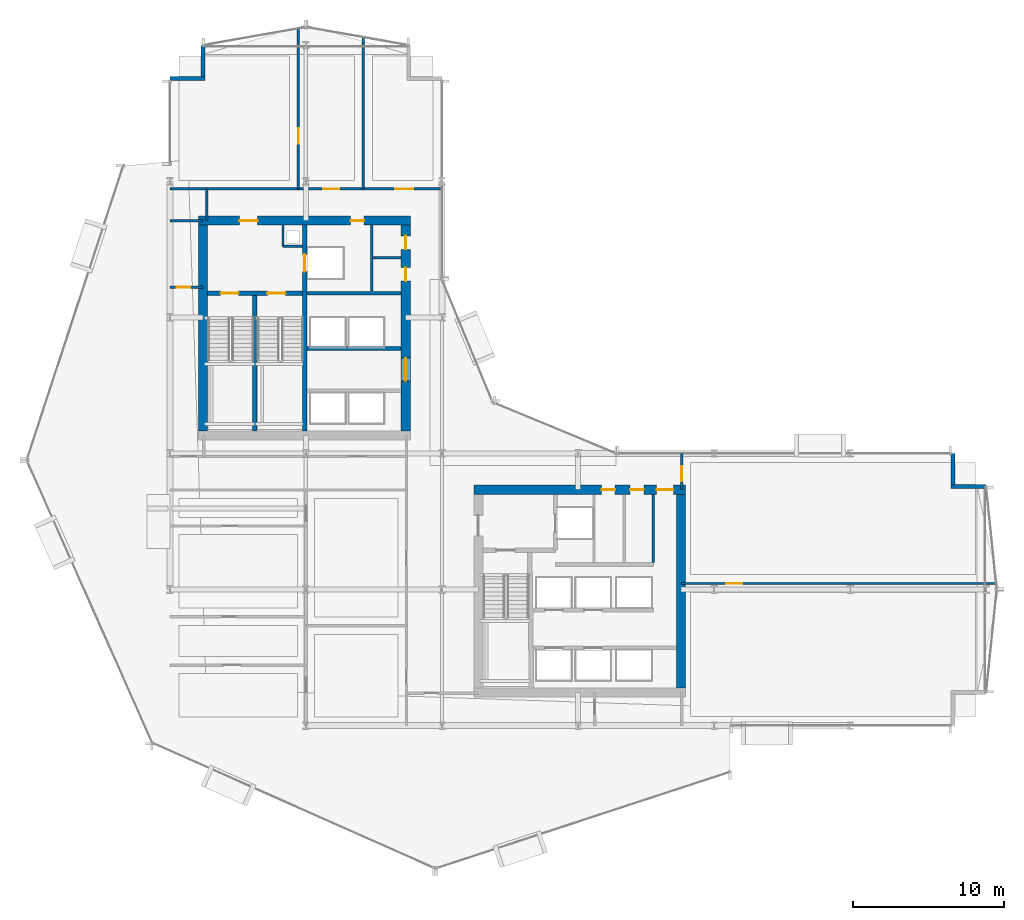
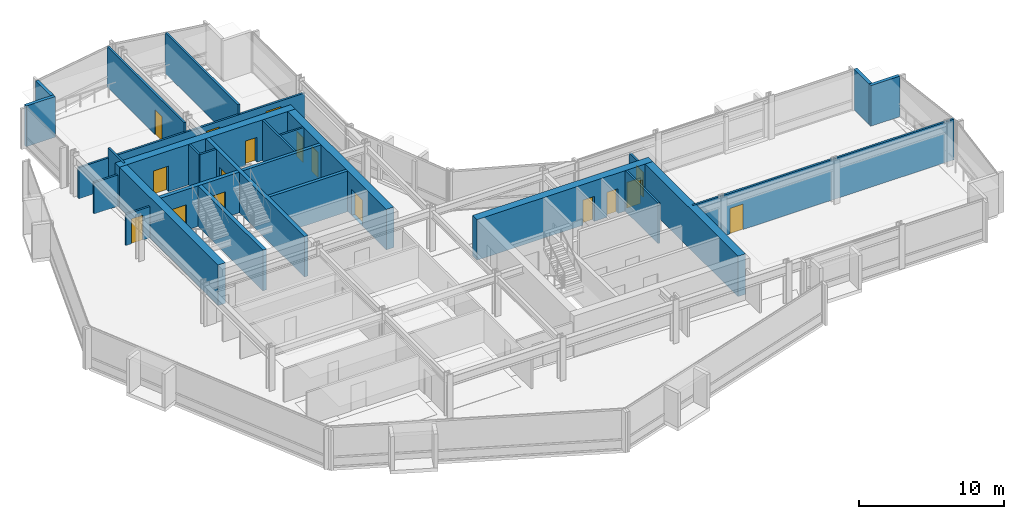
# One storey, part 28 of 34: 27 walls, 17 doors, 17 openings.
"""IFC4 building model written with IfcOpenShell, lengths in metres."""

from ifc_helpers import new_model, si_unit, direction, frame, frame_2d, origin, place, context, subcontext, project, spatial, rectangle, extrude, material, layer, layer_set, type_object, element, fill, save


model = new_model("IFC4")

# Units and contexts
model_context = context("Model", 3, precision=1e-05, world=origin(), true_north=direction((0.0, 1.0)))
body_context = subcontext(model_context, "Body", "Model", "MODEL_VIEW")
ifc_project = project(units=[si_unit("LENGTHUNIT", "METRE"), si_unit("AREAUNIT", "SQUARE_METRE"), si_unit("VOLUMEUNIT", "CUBIC_METRE"), si_unit("PLANEANGLEUNIT", "RADIAN"), si_unit("MASSUNIT", "GRAM", prefix="KILO")], contexts=[model_context])

# Site, building, storey
site_placement = place(None, origin())
site = spatial("IfcSite", under=ifc_project, at=site_placement, CompositionType="ELEMENT")
building_placement = place(site_placement, origin())
building = spatial("IfcBuilding", under=site, at=building_placement, Name="Solvaryn Broadcast Tower", CompositionType="ELEMENT")
storey_placement = place(building_placement, frame((0.0, 0.0, 61.89990234375)))
storey = spatial("IfcBuildingStorey", under=building, at=storey_placement, Name="L14", CompositionType="ELEMENT", Elevation=61.89990234375)

# Wall, openings, doors
ifc_material_1 = material(Name="Concrete f'c 70 MPa", Category="concrete")
ifc_layer_1 = layer(ifc_material_1, 0.60009765625)
ifc_layer_set_1 = layer_set([ifc_layer_1], Name="CW-SHEAR-600")
wall_type_1 = type_object("IfcWallType", Name="CW-SHEAR-600", PredefinedType="SHEAR", material=ifc_layer_set_1)
wall_1_placement = place(storey_placement, frame((24.89990234375, 42.39990234375, 0.0), z_axis=(0.0, 0.0, 1.0), x_axis=(-1.0, 0.0, 0.0)))
wall_1 = element("IfcWall", 1, at=wall_1_placement, inside=storey, type_object=wall_type_1, Name="L14 West Core North Shear Wall", PredefinedType="SHEAR", context=body_context, shape_type="SweptSolid", body=[
    extrude(rectangle(XDim=14.0, YDim=0.60009765625, at=frame_2d((7.0, 0.0))), origin(), (0.0, 0.0, 1.0), 3.420166015625),
])
opening_1_placement = place(wall_1_placement, frame((10.10009765625, 0.0, 0.0)))
opening_1 = element("IfcOpeningElement", 2, at=opening_1_placement, cuts=wall_1, Name="Opening FD90A", PredefinedType="OPENING", context=body_context, shape_type="SweptSolid", body=[
    extrude(rectangle(XDim=1.199951171875, YDim=2.14990234375, at=frame_2d((0.60009765625, 1.074951171875))), frame((0.0, 0.31005859375, 0.0), z_axis=(0.0, -1.0, 0.0), x_axis=(1.0, 0.0, 0.0)), (0.0, 0.0, 1.0), 0.6201171875),
])
opening_2_placement = place(wall_1_placement, frame((3.050048828125, 0.0, 0.0)))
opening_2 = element("IfcOpeningElement", 3, at=opening_2_placement, cuts=wall_1, Name="Opening FD60C", PredefinedType="OPENING", context=body_context, shape_type="SweptSolid", body=[
    extrude(rectangle(XDim=0.89990234375, YDim=2.10009765625, at=frame_2d((0.449951171875, 1.050048828125))), frame((0.0, 0.31005859375, 0.0), z_axis=(0.0, -1.0, 0.0), x_axis=(1.0, 0.0, 0.0)), (0.0, 0.0, 1.0), 0.6201171875),
])
ifc_material_2 = material(Name="Flush Acoustic Steel and Timber Door Assembly", Category="steel")
door_type_1 = type_object("IfcDoorType", Name="FD60-SERV-900X2100", OperationType="NOTDEFINED", PredefinedType="DOOR", material=ifc_material_2)
door_1_placement = place(opening_2_placement, origin())
door_1 = element("IfcDoor", 4, at=door_1_placement, inside=storey, type_object=door_type_1, Name="L14 West Core Fiber Riser Door", OperationType="SINGLE_SWING_RIGHT", OverallHeight=2.10009765625, OverallWidth=0.89990234375, PredefinedType="DOOR", context=body_context, shape_type="SweptSolid", body=[
    extrude(rectangle(XDim=0.89990234375, YDim=2.10009765625, at=frame_2d((0.449951171875, 1.050048828125))), frame((0.0, 0.02490234375, 0.0), z_axis=(0.0, -1.0, 0.0), x_axis=(1.0, 0.0, 0.0)), (0.0, 0.0, 1.0), 0.050048828125),
])
fill(opening_2, door_1)
ifc_material_3 = material(Name="Flush Acoustic Steel and Timber Door Assembly", Category="steel")
door_type_2 = type_object("IfcDoorType", Name="FD90-STAIR-1200X2150", OperationType="NOTDEFINED", PredefinedType="DOOR", material=ifc_material_3)
door_2_placement = place(opening_1_placement, origin())
door_2 = element("IfcDoor", 5, at=door_2_placement, inside=storey, type_object=door_type_2, Name="L14 West FSAE Lobby Corridor Door", OperationType="SINGLE_SWING_LEFT", OverallHeight=2.14990234375, OverallWidth=1.199951171875, PredefinedType="DOOR", context=body_context, shape_type="SweptSolid", body=[
    extrude(rectangle(XDim=1.199951171875, YDim=2.14990234375, at=frame_2d((0.60009765625, 1.074951171875))), frame((0.0, 0.02490234375, 0.0), z_axis=(0.0, -1.0, 0.0), x_axis=(1.0, 0.0, 0.0)), (0.0, 0.0, 1.0), 0.050048828125),
])
fill(opening_1, door_2)

# Wall
wall_2_placement = place(storey_placement, frame((11.199951171875, 42.10009765625, 0.0), z_axis=(0.0, 0.0, 1.0), x_axis=(0.0, -1.0, 0.0)))
element("IfcWall", 6, at=wall_2_placement, inside=storey, type_object=wall_type_1, Name="L14 West Core West Shear Wall", PredefinedType="SHEAR", context=body_context, shape_type="SweptSolid", body=[
    extrude(rectangle(XDim=13.60009765625, YDim=0.60009765625, at=frame_2d((6.800048828125, 0.0))), origin(), (0.0, 0.0, 1.0), 3.420166015625),
])

# Wall, openings, doors
wall_3_placement = place(storey_placement, frame((24.60009765625, 28.5, 0.0), z_axis=(0.0, 0.0, 1.0), x_axis=(0.0, 1.0, 0.0)))
wall_3 = element("IfcWall", 7, at=wall_3_placement, inside=storey, type_object=wall_type_1, Name="L14 West Core East Shear Wall", PredefinedType="SHEAR", context=body_context, shape_type="SweptSolid", body=[
    extrude(rectangle(XDim=13.60009765625, YDim=0.60009765625, at=frame_2d((6.800048828125, 0.0))), origin(), (0.0, 0.0, 1.0), 3.420166015625),
])
opening_3_placement = place(wall_3_placement, frame((3.300048828125, 0.0, 0.0)))
opening_3 = element("IfcOpeningElement", 8, at=opening_3_placement, cuts=wall_3, Name="Opening FD60A", PredefinedType="OPENING", context=body_context, shape_type="SweptSolid", body=[
    extrude(rectangle(XDim=1.5, YDim=2.199951171875, at=frame_2d((0.75, 1.10009765625))), frame((0.0, 0.31005859375, 0.0), z_axis=(0.0, -1.0, 0.0), x_axis=(1.0, 0.0, 0.0)), (0.0, 0.0, 1.0), 0.6201171875),
])
opening_4_placement = place(wall_3_placement, frame((9.89990234375, 0.0, 0.0)))
opening_4 = element("IfcOpeningElement", 9, at=opening_4_placement, cuts=wall_3, Name="Opening FD60C", PredefinedType="OPENING", context=body_context, shape_type="SweptSolid", body=[
    extrude(rectangle(XDim=0.89990234375, YDim=2.10009765625, at=frame_2d((0.449951171875, 1.050048828125))), frame((0.0, 0.31005859375, 0.0), z_axis=(0.0, -1.0, 0.0), x_axis=(1.0, 0.0, 0.0)), (0.0, 0.0, 1.0), 0.6201171875),
])
opening_5_placement = place(wall_3_placement, frame((12.0, 0.0, 0.0)))
opening_5 = element("IfcOpeningElement", 10, at=opening_5_placement, cuts=wall_3, Name="Opening FD60C", PredefinedType="OPENING", context=body_context, shape_type="SweptSolid", body=[
    extrude(rectangle(XDim=0.89990234375, YDim=2.10009765625, at=frame_2d((0.449951171875, 1.050048828125))), frame((0.0, 0.31005859375, 0.0), z_axis=(0.0, -1.0, 0.0), x_axis=(1.0, 0.0, 0.0)), (0.0, 0.0, 1.0), 0.6201171875),
])
ifc_material_4 = material(Name="Flush Acoustic Steel and Timber Door Assembly", Category="steel")
door_type_3 = type_object("IfcDoorType", Name="FD60-CORR-1500X2200", OperationType="NOTDEFINED", PredefinedType="DOOR", material=ifc_material_4)
door_3_placement = place(opening_3_placement, origin())
door_3 = element("IfcDoor", 11, at=door_3_placement, inside=storey, type_object=door_type_3, Name="L14 West Elevator Lobby Corridor Door", OperationType="DOUBLE_DOOR_SINGLE_SWING", OverallHeight=2.199951171875, OverallWidth=1.5, PredefinedType="DOOR", context=body_context, shape_type="SweptSolid", body=[
    extrude(rectangle(XDim=1.5, YDim=2.199951171875, at=frame_2d((0.75, 1.10009765625))), frame((0.0, 0.02490234375, 0.0), z_axis=(0.0, -1.0, 0.0), x_axis=(1.0, 0.0, 0.0)), (0.0, 0.0, 1.0), 0.050048828125),
])
fill(opening_3, door_3)
door_4_placement = place(opening_4_placement, origin())
door_4 = element("IfcDoor", 12, at=door_4_placement, inside=storey, type_object=door_type_1, Name="L14 West Core Service Door 1", OperationType="SINGLE_SWING_LEFT", OverallHeight=2.10009765625, OverallWidth=0.89990234375, PredefinedType="DOOR", context=body_context, shape_type="SweptSolid", body=[
    extrude(rectangle(XDim=0.89990234375, YDim=2.10009765625, at=frame_2d((0.449951171875, 1.050048828125))), frame((0.0, 0.02490234375, 0.0), z_axis=(0.0, -1.0, 0.0), x_axis=(1.0, 0.0, 0.0)), (0.0, 0.0, 1.0), 0.050048828125),
])
fill(opening_4, door_4)
door_5_placement = place(opening_5_placement, origin())
door_5 = element("IfcDoor", 13, at=door_5_placement, inside=storey, type_object=door_type_1, Name="L14 West Core Janitor Door", OperationType="SINGLE_SWING_RIGHT", OverallHeight=2.10009765625, OverallWidth=0.89990234375, PredefinedType="DOOR", context=body_context, shape_type="SweptSolid", body=[
    extrude(rectangle(XDim=0.89990234375, YDim=2.10009765625, at=frame_2d((0.449951171875, 1.050048828125))), frame((0.0, 0.02490234375, 0.0), z_axis=(0.0, -1.0, 0.0), x_axis=(1.0, 0.0, 0.0)), (0.0, 0.0, 1.0), 0.050048828125),
])
fill(opening_5, door_5)

wall_4_placement = place(storey_placement, frame((43.10009765625, 24.60009765625, 0.0), z_axis=(0.0, 0.0, 1.0), x_axis=(-1.0, 0.0, 0.0)))
wall_4 = element("IfcWall", 14, at=wall_4_placement, inside=storey, type_object=wall_type_1, Name="L14 East Core North Shear Wall", PredefinedType="SHEAR", context=body_context, shape_type="SweptSolid", body=[
    extrude(rectangle(XDim=14.0, YDim=0.60009765625, at=frame_2d((7.0, 0.0))), origin(), (0.0, 0.0, 1.0), 3.420166015625),
])
opening_6_placement = place(wall_4_placement, frame((0.800048828125, 0.0, 0.0)))
opening_6 = element("IfcOpeningElement", 15, at=opening_6_placement, cuts=wall_4, Name="Opening FD90C", PredefinedType="OPENING", context=body_context, shape_type="SweptSolid", body=[
    extrude(rectangle(XDim=1.10009765625, YDim=2.14990234375, at=frame_2d((0.550048828125, 1.074951171875))), frame((0.0, 0.31005859375, 0.0), z_axis=(0.0, -1.0, 0.0), x_axis=(1.0, 0.0, 0.0)), (0.0, 0.0, 1.0), 0.6201171875),
])
opening_7_placement = place(wall_4_placement, frame((2.75, 0.0, 0.0)))
opening_7 = element("IfcOpeningElement", 16, at=opening_7_placement, cuts=wall_4, Name="Opening FD60C", PredefinedType="OPENING", context=body_context, shape_type="SweptSolid", body=[
    extrude(rectangle(XDim=0.89990234375, YDim=2.10009765625, at=frame_2d((0.449951171875, 1.050048828125))), frame((0.0, 0.31005859375, 0.0), z_axis=(0.0, -1.0, 0.0), x_axis=(1.0, 0.0, 0.0)), (0.0, 0.0, 1.0), 0.6201171875),
])
opening_8_placement = place(wall_4_placement, frame((4.64990234375, 0.0, 0.0)))
opening_8 = element("IfcOpeningElement", 17, at=opening_8_placement, cuts=wall_4, Name="Opening FD60C", PredefinedType="OPENING", context=body_context, shape_type="SweptSolid", body=[
    extrude(rectangle(XDim=0.89990234375, YDim=2.10009765625, at=frame_2d((0.449951171875, 1.050048828125))), frame((0.0, 0.31005859375, 0.0), z_axis=(0.0, -1.0, 0.0), x_axis=(1.0, 0.0, 0.0)), (0.0, 0.0, 1.0), 0.6201171875),
])
door_6_placement = place(opening_7_placement, origin())
door_6 = element("IfcDoor", 18, at=door_6_placement, inside=storey, type_object=door_type_1, Name="L14 Staff Restroom Door", OperationType="SINGLE_SWING_LEFT", OverallHeight=2.10009765625, OverallWidth=0.89990234375, PredefinedType="DOOR", context=body_context, shape_type="SweptSolid", body=[
    extrude(rectangle(XDim=0.89990234375, YDim=2.10009765625, at=frame_2d((0.449951171875, 1.050048828125))), frame((0.0, 0.02490234375, 0.0), z_axis=(0.0, -1.0, 0.0), x_axis=(1.0, 0.0, 0.0)), (0.0, 0.0, 1.0), 0.050048828125),
])
fill(opening_7, door_6)
door_7_placement = place(opening_8_placement, origin())
door_7 = element("IfcDoor", 19, at=door_7_placement, inside=storey, type_object=door_type_1, Name="L14 Accessible WC Door", OperationType="SINGLE_SWING_RIGHT", OverallHeight=2.10009765625, OverallWidth=0.89990234375, PredefinedType="DOOR", context=body_context, shape_type="SweptSolid", body=[
    extrude(rectangle(XDim=0.89990234375, YDim=2.10009765625, at=frame_2d((0.449951171875, 1.050048828125))), frame((0.0, 0.02490234375, 0.0), z_axis=(0.0, -1.0, 0.0), x_axis=(1.0, 0.0, 0.0)), (0.0, 0.0, 1.0), 0.050048828125),
])
fill(opening_8, door_7)
ifc_material_5 = material(Name="Flush Acoustic Steel and Timber Door Assembly", Category="steel")
door_type_4 = type_object("IfcDoorType", Name="FD90-PLANT-1100X2150", OperationType="NOTDEFINED", PredefinedType="DOOR", material=ifc_material_5)
door_8_placement = place(opening_6_placement, origin())
door_8 = element("IfcDoor", 20, at=door_8_placement, inside=storey, type_object=door_type_4, Name="L14 East Core Lobby Corridor Door", OperationType="SINGLE_SWING_LEFT", OverallHeight=2.14990234375, OverallWidth=1.10009765625, PredefinedType="DOOR", context=body_context, shape_type="SweptSolid", body=[
    extrude(rectangle(XDim=1.10009765625, YDim=2.14990234375, at=frame_2d((0.550048828125, 1.074951171875))), frame((0.0, 0.02490234375, 0.0), z_axis=(0.0, -1.0, 0.0), x_axis=(1.0, 0.0, 0.0)), (0.0, 0.0, 1.0), 0.050048828125),
])
fill(opening_6, door_8)

# Walls
wall_5_placement = place(storey_placement, frame((42.800048828125, 11.5, 0.0), z_axis=(0.0, 0.0, 1.0), x_axis=(0.0, 1.0, 0.0)))
element("IfcWall", 21, at=wall_5_placement, inside=storey, type_object=wall_type_1, Name="L14 East Core East Shear Wall", PredefinedType="SHEAR", context=body_context, shape_type="SweptSolid", body=[
    extrude(rectangle(XDim=12.800048828125, YDim=0.60009765625, at=frame_2d((6.39990234375, 0.0))), origin(), (0.0, 0.0, 1.0), 3.420166015625),
])
ifc_material_6 = material(Name="Concrete f'c 50 MPa", Category="concrete")
ifc_layer_2 = layer(ifc_material_6, 0.260009765625)
ifc_layer_set_2 = layer_set([ifc_layer_2], Name="EW-PIER-260")
wall_type_2 = type_object("IfcWallType", Name="EW-PIER-260", PredefinedType="SOLIDWALL", material=ifc_layer_set_2)
wall_6_placement = place(storey_placement, frame((9.0, 51.800048828125, 0.0), z_axis=(0.0, 0.0, 1.0), x_axis=(1.0, 0.0, 0.0)))
element("IfcWall", 22, at=wall_6_placement, inside=storey, type_object=wall_type_2, Name="L14 Notched Corner Pier Wall NNW1", PredefinedType="SOLIDWALL", context=body_context, shape_type="SweptSolid", body=[
    extrude(rectangle(XDim=2.320068359375, YDim=0.260009765625, at=frame_2d((1.16015625, 0.0))), origin(), (0.0, 0.0, 1.0), 3.420166015625),
])
wall_7_placement = place(storey_placement, frame((11.199951171875, 51.919921875, 0.0), z_axis=(0.0, 0.0, 1.0), x_axis=(0.0, 1.0, 0.0)))
element("IfcWall", 23, at=wall_7_placement, inside=storey, type_object=wall_type_2, Name="L14 Notched Corner Pier Wall NNW2", PredefinedType="SOLIDWALL", context=body_context, shape_type="SweptSolid", body=[
    extrude(rectangle(XDim=2.080078125, YDim=0.260009765625, at=frame_2d((1.0400390625, 0.0))), origin(), (0.0, 0.0, 1.0), 3.420166015625),
])
wall_8_placement = place(storey_placement, frame((63.0, 24.800048828125, 0.0), z_axis=(0.0, 0.0, 1.0), x_axis=(-1.0, 0.0, 0.0)))
element("IfcWall", 24, at=wall_8_placement, inside=storey, type_object=wall_type_2, Name="L14 Notched Corner Pier Wall NEE1", PredefinedType="SOLIDWALL", context=body_context, shape_type="SweptSolid", body=[
    extrude(rectangle(XDim=2.320068359375, YDim=0.260009765625, at=frame_2d((1.16015625, 0.0))), origin(), (0.0, 0.0, 1.0), 3.420166015625),
])
wall_9_placement = place(storey_placement, frame((60.800048828125, 24.919921875, 0.0), z_axis=(0.0, 0.0, 1.0), x_axis=(0.0, 1.0, 0.0)))
element("IfcWall", 25, at=wall_9_placement, inside=storey, type_object=wall_type_2, Name="L14 Notched Corner Pier Wall NEE2", PredefinedType="SOLIDWALL", context=body_context, shape_type="SweptSolid", body=[
    extrude(rectangle(XDim=2.080078125, YDim=0.260009765625, at=frame_2d((1.0400390625, 0.0))), origin(), (0.0, 0.0, 1.0), 3.420166015625),
])
ifc_material_7 = material(Name="Metal-Stud Service Core Partition")
ifc_layer_3 = layer(ifc_material_7, 0.14990234375)
ifc_layer_set_3 = layer_set([ifc_layer_3], Name="IW-PART-150")
wall_type_3 = type_object("IfcWallType", Name="IW-PART-150", PredefinedType="PARTITIONING", material=ifc_layer_set_3)
wall_10_placement = place(storey_placement, frame((16.47998046875, 40.699951171875, 0.0), z_axis=(0.0, 0.0, 1.0), x_axis=(1.0, 0.0, 0.0)))
element("IfcWall", 26, at=wall_10_placement, inside=storey, type_object=wall_type_3, Name="L14 West Core Riser Shaft South Wall", PredefinedType="PARTITIONING", context=body_context, shape_type="SweptSolid", body=[
    extrude(rectangle(XDim=1.2900390625, YDim=0.14990234375, at=frame_2d((0.64501953125, 0.0))), origin(), (0.0, 0.0, 1.0), 3.420166015625),
])
wall_11_placement = place(storey_placement, frame((16.47998046875, 40.699951171875, 0.0), z_axis=(0.0, 0.0, 1.0), x_axis=(0.0, 1.0, 0.0)))
element("IfcWall", 27, at=wall_11_placement, inside=storey, type_object=wall_type_3, Name="L14 West Core Riser Shaft West Wall", PredefinedType="PARTITIONING", context=body_context, shape_type="SweptSolid", body=[
    extrude(rectangle(XDim=1.400146484375, YDim=0.14990234375, at=frame_2d((0.7001953125, 0.0))), origin(), (0.0, 0.0, 1.0), 3.420166015625),
])
wall_12_placement = place(storey_placement, frame((22.35009765625, 37.72998046875, 0.0), z_axis=(0.0, 0.0, 1.0), x_axis=(0.0, 1.0, 0.0)))
element("IfcWall", 28, at=wall_12_placement, inside=storey, type_object=wall_type_3, Name="L14 Interior Partition IW-L14-CWS-V", PredefinedType="PARTITIONING", context=body_context, shape_type="SweptSolid", body=[
    extrude(rectangle(XDim=4.3701171875, YDim=0.14990234375, at=frame_2d((2.18505859375, 0.0))), origin(), (0.0, 0.0, 1.0), 3.420166015625),
])
wall_13_placement = place(storey_placement, frame((22.429931640625, 39.949951171875, 0.0), z_axis=(0.0, 0.0, 1.0), x_axis=(1.0, 0.0, 0.0)))
element("IfcWall", 29, at=wall_13_placement, inside=storey, type_object=wall_type_3, Name="L14 Interior Partition IW-L14-CWS-H", PredefinedType="PARTITIONING", context=body_context, shape_type="SweptSolid", body=[
    extrude(rectangle(XDim=1.8701171875, YDim=0.14990234375, at=frame_2d((0.93505859375, 0.0))), origin(), (0.0, 0.0, 1.0), 3.420166015625),
])
wall_14_placement = place(storey_placement, frame((40.97998046875, 19.780029296875, 0.0), z_axis=(0.0, 0.0, 1.0), x_axis=(0.0, 1.0, 0.0)))
element("IfcWall", 30, at=wall_14_placement, inside=storey, type_object=wall_type_3, Name="L14 Interior Partition IW-L14-CE-V3", PredefinedType="PARTITIONING", context=body_context, shape_type="SweptSolid", body=[
    extrude(rectangle(XDim=4.52001953125, YDim=0.14990234375, at=frame_2d((2.260009765625, 0.0))), origin(), (0.0, 0.0, 1.0), 3.420166015625),
])

# Wall, opening, door
wall_15_placement = place(storey_placement, frame((9.0, 38.0, 0.0), z_axis=(0.0, 0.0, 1.0), x_axis=(1.0, 0.0, 0.0)))
wall_15 = element("IfcWall", 31, at=wall_15_placement, inside=storey, type_object=wall_type_3, Name="L14 Interior Partition IW-L14-WM-M", PredefinedType="PARTITIONING", context=body_context, shape_type="SweptSolid", body=[
    extrude(rectangle(XDim=2.199951171875, YDim=0.14990234375, at=frame_2d((1.10009765625, 0.0))), origin(), (0.0, 0.0, 1.0), 2.627197265625),
])
opening_9_placement = place(wall_15_placement, frame((0.449951171875, 0.0, 0.0)))
opening_9 = element("IfcOpeningElement", 32, at=opening_9_placement, cuts=wall_15, Name="Opening FD60C", PredefinedType="OPENING", context=body_context, shape_type="SweptSolid", body=[
    extrude(rectangle(XDim=0.89990234375, YDim=2.10009765625, at=frame_2d((0.449951171875, 1.050048828125))), frame((0.0, 0.0849609375, 0.0), z_axis=(0.0, -1.0, 0.0), x_axis=(1.0, 0.0, 0.0)), (0.0, 0.0, 1.0), 0.169921875),
])
door_9_placement = place(opening_9_placement, origin())
door_9 = element("IfcDoor", 33, at=door_9_placement, inside=storey, type_object=door_type_1, Name="L14 Door DR-L14-WM1", OperationType="SINGLE_SWING_LEFT", OverallHeight=2.10009765625, OverallWidth=0.89990234375, PredefinedType="DOOR", context=body_context, shape_type="SweptSolid", body=[
    extrude(rectangle(XDim=0.89990234375, YDim=2.10009765625, at=frame_2d((0.449951171875, 1.050048828125))), frame((0.0, 0.02490234375, 0.0), z_axis=(0.0, -1.0, 0.0), x_axis=(1.0, 0.0, 0.0)), (0.0, 0.0, 1.0), 0.050048828125),
])
fill(opening_9, door_9)

# Walls
ifc_material_8 = material(Name="Metal-Stud Gypsum Office Partition")
ifc_layer_4 = layer(ifc_material_8, 0.159912109375)
ifc_layer_set_4 = layer_set([ifc_layer_4], Name="IW-PART-160")
wall_type_4 = type_object("IfcWallType", Name="IW-PART-160", PredefinedType="PARTITIONING", material=ifc_layer_set_4)
wall_16_placement = place(storey_placement, frame((9.0, 42.39990234375, 0.0), z_axis=(0.0, 0.0, 1.0), x_axis=(1.0, 0.0, 0.0)))
element("IfcWall", 34, at=wall_16_placement, inside=storey, type_object=wall_type_4, Name="L14 Interior Partition IW-L14-WM-N", PredefinedType="PARTITIONING", context=body_context, shape_type="SweptSolid", body=[
    extrude(rectangle(XDim=2.199951171875, YDim=0.159912109375, at=frame_2d((1.10009765625, 0.0))), origin(), (0.0, 0.0, 1.0), 2.627197265625),
])
wall_17_placement = place(storey_placement, frame((11.449951171875, 42.39990234375, 0.0), z_axis=(0.0, 0.0, 1.0), x_axis=(0.0, 1.0, 0.0)))
element("IfcWall", 35, at=wall_17_placement, inside=storey, type_object=wall_type_4, Name="L14 Interior Partition IW-L14-WM-E", PredefinedType="PARTITIONING", context=body_context, shape_type="SweptSolid", body=[
    extrude(rectangle(XDim=2.10009765625, YDim=0.159912109375, at=frame_2d((1.050048828125, 0.0))), origin(), (0.0, 0.0, 1.0), 3.420166015625),
])

# Wall, openings, doors
wall_18_placement = place(storey_placement, frame((9.0, 44.5, 0.0), z_axis=(0.0, 0.0, 1.0), x_axis=(1.0, 0.0, 0.0)))
wall_18 = element("IfcWall", 36, at=wall_18_placement, inside=storey, type_object=wall_type_4, Name="L14 Interior Partition IW-L14-NW-SB", PredefinedType="PARTITIONING", context=body_context, shape_type="SweptSolid", body=[
    extrude(rectangle(XDim=18.0, YDim=0.159912109375, at=frame_2d((9.0, 0.0))), origin(), (0.0, 0.0, 1.0), 2.627197265625),
])
opening_10_placement = place(wall_18_placement, frame((10.14990234375, 0.0, 0.0)))
opening_10 = element("IfcOpeningElement", 37, at=opening_10_placement, cuts=wall_18, Name="Opening ID03", PredefinedType="OPENING", context=body_context, shape_type="SweptSolid", body=[
    extrude(rectangle(XDim=1.050048828125, YDim=2.14990234375, at=frame_2d((0.52490234375, 1.074951171875))), frame((0.0, 0.090087890625, 0.0), z_axis=(0.0, -1.0, 0.0), x_axis=(1.0, 0.0, 0.0)), (0.0, 0.0, 1.0), 0.179931640625),
])
opening_11_placement = place(wall_18_placement, frame((14.89990234375, 0.0, 0.0)))
opening_11 = element("IfcOpeningElement", 38, at=opening_11_placement, cuts=wall_18, Name="Opening ID04", PredefinedType="OPENING", context=body_context, shape_type="SweptSolid", body=[
    extrude(rectangle(XDim=1.199951171875, YDim=2.14990234375, at=frame_2d((0.60009765625, 1.074951171875))), frame((0.0, 0.090087890625, 0.0), z_axis=(0.0, -1.0, 0.0), x_axis=(1.0, 0.0, 0.0)), (0.0, 0.0, 1.0), 0.179931640625),
])
ifc_material_9 = material(Name="Flush Acoustic Steel and Timber Door Assembly", Category="steel")
door_type_5 = type_object("IfcDoorType", Name="ID-03-1050X2150", OperationType="NOTDEFINED", PredefinedType="DOOR", material=ifc_material_9)
door_10_placement = place(opening_10_placement, origin())
door_10 = element("IfcDoor", 39, at=door_10_placement, inside=storey, type_object=door_type_5, Name="L14 Door DR-L14-NW-2", OperationType="SINGLE_SWING_LEFT", OverallHeight=2.14990234375, OverallWidth=1.050048828125, PredefinedType="DOOR", context=body_context, shape_type="SweptSolid", body=[
    extrude(rectangle(XDim=1.050048828125, YDim=2.14990234375, at=frame_2d((0.52490234375, 1.074951171875))), frame((0.0, 0.02490234375, 0.0), z_axis=(0.0, -1.0, 0.0), x_axis=(1.0, 0.0, 0.0)), (0.0, 0.0, 1.0), 0.050048828125),
])
fill(opening_10, door_10)
ifc_material_10 = material(Name="Flush Acoustic Steel and Timber Door Assembly", Category="steel")
door_type_6 = type_object("IfcDoorType", Name="ID-04-1200X2150", OperationType="NOTDEFINED", PredefinedType="DOOR", material=ifc_material_10)
door_11_placement = place(opening_11_placement, origin())
door_11 = element("IfcDoor", 40, at=door_11_placement, inside=storey, type_object=door_type_6, Name="L14 Door DR-L14-NW-3", OperationType="SINGLE_SWING_RIGHT", OverallHeight=2.14990234375, OverallWidth=1.199951171875, PredefinedType="DOOR", context=body_context, shape_type="SweptSolid", body=[
    extrude(rectangle(XDim=1.199951171875, YDim=2.14990234375, at=frame_2d((0.60009765625, 1.074951171875))), frame((0.0, 0.02490234375, 0.0), z_axis=(0.0, -1.0, 0.0), x_axis=(1.0, 0.0, 0.0)), (0.0, 0.0, 1.0), 0.050048828125),
])
fill(opening_11, door_11)

# Wall, opening, door
wall_19_placement = place(storey_placement, frame((17.5, 44.5, 0.0), z_axis=(0.0, 0.0, 1.0), x_axis=(0.0, 1.0, 0.0)))
wall_19 = element("IfcWall", 41, at=wall_19_placement, inside=storey, type_object=wall_type_4, Name="L14 Interior Partition IW-L14-NW-V1", PredefinedType="PARTITIONING", context=body_context, shape_type="SweptSolid", body=[
    extrude(rectangle(XDim=10.612060546875, YDim=0.159912109375, at=frame_2d((5.30615234375, 0.0))), origin(), (0.0, 0.0, 1.0), 3.420166015625),
])
opening_12_placement = place(wall_19_placement, frame((3.0, 0.0, 0.0)))
opening_12 = element("IfcOpeningElement", 42, at=opening_12_placement, cuts=wall_19, Name="Opening ID02", PredefinedType="OPENING", context=body_context, shape_type="SweptSolid", body=[
    extrude(rectangle(XDim=1.0, YDim=2.10009765625, at=frame_2d((0.5, 1.050048828125))), frame((0.0, 0.090087890625, 0.0), z_axis=(0.0, -1.0, 0.0), x_axis=(1.0, 0.0, 0.0)), (0.0, 0.0, 1.0), 0.179931640625),
])
ifc_material_11 = material(Name="Flush Acoustic Steel and Timber Door Assembly", Category="steel")
door_type_7 = type_object("IfcDoorType", Name="ID-02-1000X2100", OperationType="NOTDEFINED", PredefinedType="DOOR", material=ifc_material_11)
door_12_placement = place(opening_12_placement, origin())
door_12 = element("IfcDoor", 43, at=door_12_placement, inside=storey, type_object=door_type_7, Name="L14 Door DR-L14-NW-C1", OperationType="SINGLE_SWING_RIGHT", OverallHeight=2.10009765625, OverallWidth=1.0, PredefinedType="DOOR", context=body_context, shape_type="SweptSolid", body=[
    extrude(rectangle(XDim=1.0, YDim=2.10009765625, at=frame_2d((0.5, 1.050048828125))), frame((0.0, 0.02490234375, 0.0), z_axis=(0.0, -1.0, 0.0), x_axis=(1.0, 0.0, 0.0)), (0.0, 0.0, 1.0), 0.050048828125),
])
fill(opening_12, door_12)

# Wall
wall_20_placement = place(storey_placement, frame((21.800048828125, 44.5, 0.0), z_axis=(0.0, 0.0, 1.0), x_axis=(0.0, 1.0, 0.0)))
element("IfcWall", 44, at=wall_20_placement, inside=storey, type_object=wall_type_4, Name="L14 Interior Partition IW-L14-NW-V2", PredefinedType="PARTITIONING", context=body_context, shape_type="SweptSolid", body=[
    extrude(rectangle(XDim=10.029052734375, YDim=0.159912109375, at=frame_2d((5.0146484375, 0.0))), origin(), (0.0, 0.0, 1.0), 3.420166015625),
])

# Wall, opening, door
wall_21_placement = place(storey_placement, frame((42.85009765625, 24.60009765625, 0.0), z_axis=(0.0, 0.0, 1.0), x_axis=(0.0, 1.0, 0.0)))
wall_21 = element("IfcWall", 45, at=wall_21_placement, inside=storey, type_object=wall_type_4, Name="L14 Interior Partition IW-L14-EW-BN", PredefinedType="PARTITIONING", context=body_context, shape_type="SweptSolid", body=[
    extrude(rectangle(XDim=2.39990234375, YDim=0.159912109375, at=frame_2d((1.199951171875, 0.0))), origin(), (0.0, 0.0, 1.0), 2.627197265625),
])
opening_13_placement = place(wall_21_placement, frame((0.550048828125, 0.0, 0.0)))
opening_13 = element("IfcOpeningElement", 46, at=opening_13_placement, cuts=wall_21, Name="Opening ID02", PredefinedType="OPENING", context=body_context, shape_type="SweptSolid", body=[
    extrude(rectangle(XDim=1.0, YDim=2.10009765625, at=frame_2d((0.5, 1.050048828125))), frame((0.0, 0.090087890625, 0.0), z_axis=(0.0, -1.0, 0.0), x_axis=(1.0, 0.0, 0.0)), (0.0, 0.0, 1.0), 0.179931640625),
])
door_13_placement = place(opening_13_placement, origin())
door_13 = element("IfcDoor", 47, at=door_13_placement, inside=storey, type_object=door_type_7, Name="L14 Door DR-L14-EW0", OperationType="SINGLE_SWING_LEFT", OverallHeight=2.10009765625, OverallWidth=1.0, PredefinedType="DOOR", context=body_context, shape_type="SweptSolid", body=[
    extrude(rectangle(XDim=1.0, YDim=2.10009765625, at=frame_2d((0.5, 1.050048828125))), frame((0.0, 0.02490234375, 0.0), z_axis=(0.0, -1.0, 0.0), x_axis=(1.0, 0.0, 0.0)), (0.0, 0.0, 1.0), 0.050048828125),
])
fill(opening_13, door_13)

wall_22_placement = place(storey_placement, frame((42.85009765625, 18.39990234375, 0.0), z_axis=(0.0, 0.0, 1.0), x_axis=(1.0, 0.0, 0.0)))
wall_22 = element("IfcWall", 48, at=wall_22_placement, inside=storey, type_object=wall_type_4, Name="L14 Interior Partition IW-L14-EW-H1", PredefinedType="PARTITIONING", context=body_context, shape_type="SweptSolid", body=[
    extrude(rectangle(XDim=20.808837890625, YDim=0.159912109375, at=frame_2d((10.404296875, 0.0))), origin(), (0.0, 0.0, 1.0), 3.420166015625),
])
opening_14_placement = place(wall_22_placement, frame((2.949951171875, 0.0, 0.0)))
opening_14 = element("IfcOpeningElement", 49, at=opening_14_placement, cuts=wall_22, Name="Opening ID03", PredefinedType="OPENING", context=body_context, shape_type="SweptSolid", body=[
    extrude(rectangle(XDim=1.050048828125, YDim=2.14990234375, at=frame_2d((0.52490234375, 1.074951171875))), frame((0.0, 0.090087890625, 0.0), z_axis=(0.0, -1.0, 0.0), x_axis=(1.0, 0.0, 0.0)), (0.0, 0.0, 1.0), 0.179931640625),
])
door_14_placement = place(opening_14_placement, origin())
door_14 = element("IfcDoor", 50, at=door_14_placement, inside=storey, type_object=door_type_5, Name="L14 Door DR-L14-EW-1", OperationType="SINGLE_SWING_RIGHT", OverallHeight=2.14990234375, OverallWidth=1.050048828125, PredefinedType="DOOR", context=body_context, shape_type="SweptSolid", body=[
    extrude(rectangle(XDim=1.050048828125, YDim=2.14990234375, at=frame_2d((0.52490234375, 1.074951171875))), frame((0.0, 0.02490234375, 0.0), z_axis=(0.0, -1.0, 0.0), x_axis=(1.0, 0.0, 0.0)), (0.0, 0.0, 1.0), 0.050048828125),
])
fill(opening_14, door_14)

# Walls
ifc_material_12 = material(Name="Concrete f'c 60 MPa", Category="concrete")
ifc_layer_5 = layer(ifc_material_12, 0.25)
ifc_layer_set_5 = layer_set([ifc_layer_5], Name="SW-SHAFT-250")
wall_type_5 = type_object("IfcWallType", Name="SW-SHAFT-250", PredefinedType="PARTITIONING", material=ifc_layer_set_5)
for number, where, z_axis, x_axis, name in (
    (51, (18.070068359375, 37.60009765625, 0.0), (0.0, 0.0, 1.0), (1.0, 0.0, 0.0), "L14 West Core FSAE Hoistway Front Wall"),
    (52, (24.300048828125, 33.949951171875, 0.0), (0.0, 0.0, 1.0), (-1.0, 0.0, 0.0), "L14 High-Rise Lift Bank North Wall"),
):
    element("IfcWall", number, at=place(storey_placement, frame(where, z_axis=z_axis, x_axis=x_axis)), inside=storey, type_object=wall_type_5, Name=name, PredefinedType="PARTITIONING", context=body_context, shape_type="SweptSolid", body=[
        extrude(rectangle(XDim=6.22998046875, YDim=0.25, at=frame_2d((3.114990234375, 0.0))), origin(), (0.0, 0.0, 1.0), 3.420166015625),
    ])
ifc_material_13 = material(Name="Concrete f'c 70 MPa", Category="concrete")
ifc_layer_6 = layer(ifc_material_13, 0.300048828125)
ifc_layer_set_6 = layer_set([ifc_layer_6], Name="SW-SHAFT-300")
wall_type_6 = type_object("IfcWallType", Name="SW-SHAFT-300", PredefinedType="SHEAR", material=ifc_layer_set_6)
wall_23_placement = place(storey_placement, frame((14.6201171875, 28.5, 0.0), z_axis=(0.0, 0.0, 1.0), x_axis=(0.0, 1.0, 0.0)))
element("IfcWall", 53, at=wall_23_placement, inside=storey, type_object=wall_type_6, Name="L14 Stair 1-2 Dividing Wall", PredefinedType="SHEAR", context=body_context, shape_type="SweptSolid", body=[
    extrude(rectangle(XDim=8.949951171875, YDim=0.300048828125, at=frame_2d((4.47509765625, 0.0))), origin(), (0.0, 0.0, 1.0), 3.420166015625),
])

# Wall, opening, door
wall_24_placement = place(storey_placement, frame((17.919921875, 42.10009765625, 0.0), z_axis=(0.0, 0.0, 1.0), x_axis=(0.0, -1.0, 0.0)))
wall_24 = element("IfcWall", 54, at=wall_24_placement, inside=storey, type_object=wall_type_6, Name="L14 West Core Stair-Lobby Shear Wall", PredefinedType="SHEAR", context=body_context, shape_type="SweptSolid", body=[
    extrude(rectangle(XDim=13.60009765625, YDim=0.300048828125, at=frame_2d((6.800048828125, 0.0))), origin(), (0.0, 0.0, 1.0), 3.420166015625),
])
opening_15_placement = place(wall_24_placement, frame((1.925048828125, 0.0, 0.0)))
opening_15 = element("IfcOpeningElement", 55, at=opening_15_placement, cuts=wall_24, Name="Opening LD01", PredefinedType="OPENING", context=body_context, shape_type="SweptSolid", body=[
    extrude(rectangle(XDim=1.14990234375, YDim=2.14990234375, at=frame_2d((0.574951171875, 1.074951171875))), frame((0.0, 0.159912109375, 0.0), z_axis=(0.0, -1.0, 0.0), x_axis=(1.0, 0.0, 0.0)), (0.0, 0.0, 1.0), 0.320068359375),
])
ifc_material_14 = material(Name="Flush Acoustic Steel and Timber Door Assembly", Category="steel")
door_type_8 = type_object("IfcDoorType", Name="LD-LIFT-1150X2150", OperationType="NOTDEFINED", PredefinedType="DOOR", material=ifc_material_14)
door_15_placement = place(opening_15_placement, origin())
door_15 = element("IfcDoor", 56, at=door_15_placement, inside=storey, type_object=door_type_8, Name="L14 FL1 Lift Landing Door", OperationType="DOUBLE_DOOR_SLIDING", OverallHeight=2.14990234375, OverallWidth=1.14990234375, PredefinedType="DOOR", context=body_context, shape_type="SweptSolid", body=[
    extrude(rectangle(XDim=1.14990234375, YDim=2.14990234375, at=frame_2d((0.574951171875, 1.074951171875))), frame((0.0, 0.02490234375, 0.0), z_axis=(0.0, -1.0, 0.0), x_axis=(1.0, 0.0, 0.0)), (0.0, 0.0, 1.0), 0.050048828125),
])
fill(opening_15, door_15)

# Wall, openings, doors
wall_25_placement = place(storey_placement, frame((17.77001953125, 37.60009765625, 0.0), z_axis=(0.0, 0.0, 1.0), x_axis=(-1.0, 0.0, 0.0)))
wall_25 = element("IfcWall", 57, at=wall_25_placement, inside=storey, type_object=wall_type_6, Name="L14 West Core FSAE Lobby South Wall", PredefinedType="SHEAR", context=body_context, shape_type="SweptSolid", body=[
    extrude(rectangle(XDim=6.27001953125, YDim=0.300048828125, at=frame_2d((3.135009765625, 0.0))), origin(), (0.0, 0.0, 1.0), 3.420166015625),
])
opening_16_placement = place(wall_25_placement, frame((4.219970703125, 0.0, 0.0)))
opening_16 = element("IfcOpeningElement", 58, at=opening_16_placement, cuts=wall_25, Name="Opening FD90A", PredefinedType="OPENING", context=body_context, shape_type="SweptSolid", body=[
    extrude(rectangle(XDim=1.199951171875, YDim=2.14990234375, at=frame_2d((0.60009765625, 1.074951171875))), frame((0.0, 0.159912109375, 0.0), z_axis=(0.0, -1.0, 0.0), x_axis=(1.0, 0.0, 0.0)), (0.0, 0.0, 1.0), 0.320068359375),
])
opening_17_placement = place(wall_25_placement, frame((1.1201171875, 0.0, 0.0)))
opening_17 = element("IfcOpeningElement", 59, at=opening_17_placement, cuts=wall_25, Name="Opening FD90A", PredefinedType="OPENING", context=body_context, shape_type="SweptSolid", body=[
    extrude(rectangle(XDim=1.199951171875, YDim=2.14990234375, at=frame_2d((0.60009765625, 1.074951171875))), frame((0.0, 0.159912109375, 0.0), z_axis=(0.0, -1.0, 0.0), x_axis=(1.0, 0.0, 0.0)), (0.0, 0.0, 1.0), 0.320068359375),
])
door_16_placement = place(opening_16_placement, origin())
door_16 = element("IfcDoor", 60, at=door_16_placement, inside=storey, type_object=door_type_2, Name="L14 Stair 1 Fire Door", OperationType="SINGLE_SWING_LEFT", OverallHeight=2.14990234375, OverallWidth=1.199951171875, PredefinedType="DOOR", context=body_context, shape_type="SweptSolid", body=[
    extrude(rectangle(XDim=1.199951171875, YDim=2.14990234375, at=frame_2d((0.60009765625, 1.074951171875))), frame((0.0, 0.02490234375, 0.0), z_axis=(0.0, -1.0, 0.0), x_axis=(1.0, 0.0, 0.0)), (0.0, 0.0, 1.0), 0.050048828125),
])
fill(opening_16, door_16)
door_17_placement = place(opening_17_placement, origin())
door_17 = element("IfcDoor", 61, at=door_17_placement, inside=storey, type_object=door_type_2, Name="L14 Stair 2 Fire Door", OperationType="SINGLE_SWING_RIGHT", OverallHeight=2.14990234375, OverallWidth=1.199951171875, PredefinedType="DOOR", context=body_context, shape_type="SweptSolid", body=[
    extrude(rectangle(XDim=1.199951171875, YDim=2.14990234375, at=frame_2d((0.60009765625, 1.074951171875))), frame((0.0, 0.02490234375, 0.0), z_axis=(0.0, -1.0, 0.0), x_axis=(1.0, 0.0, 0.0)), (0.0, 0.0, 1.0), 0.050048828125),
])
fill(opening_17, door_17)

save(model, "model.ifc")
